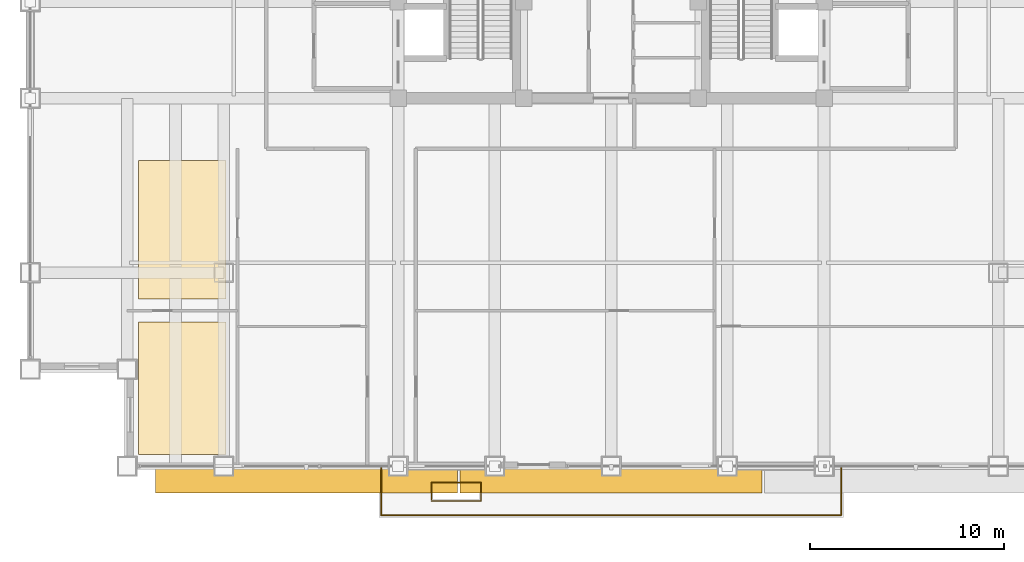
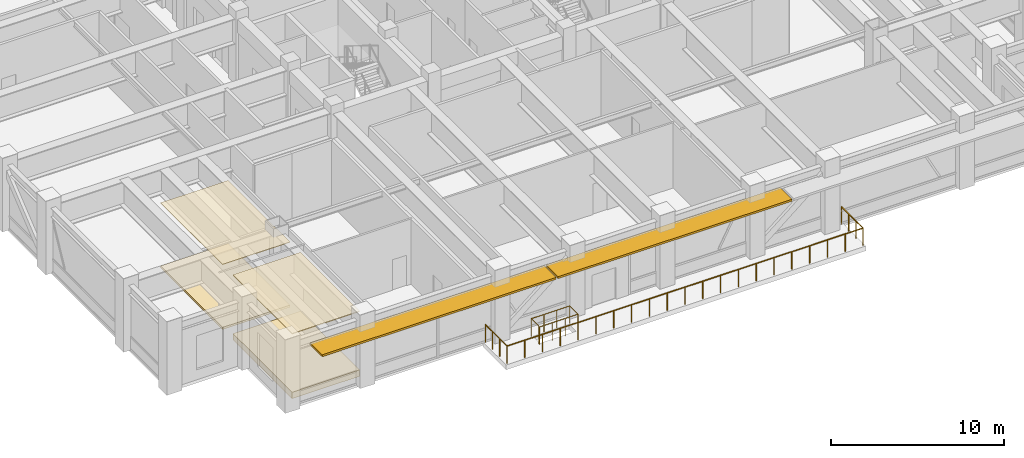
# One storey, part 28 of 33: 4 coverings, 2 railings, 2 shading devices.
"""IFC4 building model written with IfcOpenShell, lengths in metres."""

from ifc_helpers import new_model, si_unit, direction, frame, origin, origin_2d, place, context, subcontext, project, spatial, polyline, rectangle, circle, outline, extrude, source, transform, mapped, material, layer, layer_set, type_object, element, save


model = new_model("IFC4")

# Units and contexts
model_context = context("Model", 3, precision=1e-05, world=origin(), true_north=direction((0.0, 1.0)))
body_context = subcontext(model_context, "Body", "Model", "MODEL_VIEW")
ifc_project = project(units=[si_unit("LENGTHUNIT", "METRE"), si_unit("AREAUNIT", "SQUARE_METRE"), si_unit("VOLUMEUNIT", "CUBIC_METRE"), si_unit("PLANEANGLEUNIT", "RADIAN"), si_unit("MASSUNIT", "GRAM", prefix="KILO")], contexts=[model_context])

# Site, building, storey
site_placement = place(None, origin())
site = spatial("IfcSite", under=ifc_project, at=site_placement, CompositionType="ELEMENT")
building_placement = place(site_placement, origin())
building = spatial("IfcBuilding", under=site, at=building_placement, Name="Khorayat Bourse Tower", CompositionType="ELEMENT")
storey_placement = place(building_placement, frame((0.0, 0.0, 263.10009765625)))
storey = spatial("IfcBuildingStorey", under=building, at=storey_placement, Name="L62", CompositionType="ELEMENT", Elevation=263.10009765625)

# Coverings
ifc_material_1 = material(Name="Mineral fibre acoustic ceiling tile")
ifc_layer_1 = layer(ifc_material_1, 0.0400390625)
ifc_layer_set_1 = layer_set([ifc_layer_1], Name="Mineral fibre acoustic ceiling tile")
covering_type_1 = type_object("IfcCoveringType", Name="COV-CEIL-ACOUSTIC", PredefinedType="CEILING", material=ifc_layer_set_1)
covering_1_placement = place(storey_placement, frame((0.0, 0.0, 4.559814453125)))
element("IfcCovering", 1, at=covering_1_placement, inside=storey, type_object=covering_type_1, Name="L62 Suspended Ceiling 2", PredefinedType="CEILING", context=body_context, shape_type="SweptSolid", body=[
    extrude(outline(polyline([(-24.39990234375, -21.364013671875), (-19.89599609375, -21.364013671875), (-19.89599609375, -14.199951171875), (-24.39990234375, -14.199951171875), (-24.39990234375, -21.364013671875)])), origin(), (0.0, 0.0, 1.0), 0.0400390625),
])
ifc_material_2 = material(Name="Perforated aluminium acoustic ceiling", Category="aluminium")
ifc_layer_2 = layer(ifc_material_2, 0.06005859375)
ifc_layer_set_2 = layer_set([ifc_layer_2], Name="Perforated aluminium acoustic ceiling")
covering_type_2 = type_object("IfcCoveringType", Name="COV-CEIL-BAFFLE", PredefinedType="CEILING", material=ifc_layer_set_2)
covering_2_placement = place(storey_placement, frame((0.0, 0.0, 4.539794921875)))
element("IfcCovering", 2, at=covering_2_placement, inside=storey, type_object=covering_type_2, Name="L62 Suspended Ceiling 1", PredefinedType="CEILING", context=body_context, shape_type="SweptSolid", body=[
    extrude(outline(polyline([(-24.39990234375, -29.39990234375), (-19.89599609375, -29.39990234375), (-19.89599609375, -22.56396484375), (-24.39990234375, -22.56396484375), (-24.39990234375, -29.39990234375)])), origin(), (0.0, 0.0, 1.0), 0.06005859375),
])
ifc_material_3 = material(Name="Steel-encapsulated raised access floor", Category="steel")
ifc_layer_3 = layer(ifc_material_3, 0.14990234375)
ifc_layer_set_3 = layer_set([ifc_layer_3], Name="Steel-encapsulated raised access floor")
covering_type_3 = type_object("IfcCoveringType", Name="COV-RAF-OFFICE", PredefinedType="FLOORING", material=ifc_layer_set_3)
covering_3_placement = place(storey_placement, origin())
element("IfcCovering", 3, at=covering_3_placement, inside=storey, type_object=covering_type_3, Name="L62 Raised Access Floor 2", PredefinedType="FLOORING", context=body_context, shape_type="SweptSolid", body=[
    extrude(outline(polyline([(-24.39990234375, -21.364013671875), (-19.89599609375, -21.364013671875), (-19.89599609375, -14.199951171875), (-24.39990234375, -14.199951171875), (-24.39990234375, -21.364013671875)])), origin(), (0.0, 0.0, 1.0), 0.14990234375),
])
ifc_material_4 = material(Name="Calcium-sulphate raised access floor")
ifc_layer_4 = layer(ifc_material_4, 0.449951171875)
ifc_layer_set_4 = layer_set([ifc_layer_4], Name="Calcium-sulphate raised access floor")
covering_type_4 = type_object("IfcCoveringType", Name="COV-RAF-TRADING", PredefinedType="FLOORING", material=ifc_layer_set_4)
covering_4_placement = place(storey_placement, origin())
element("IfcCovering", 4, at=covering_4_placement, inside=storey, type_object=covering_type_4, Name="L62 Raised Access Floor 1", PredefinedType="FLOORING", context=body_context, shape_type="SweptSolid", body=[
    extrude(outline(polyline([(-24.39990234375, -29.39990234375), (-19.89599609375, -29.39990234375), (-19.89599609375, -22.56396484375), (-24.39990234375, -22.56396484375), (-24.39990234375, -29.39990234375)])), origin(), (0.0, 0.0, 1.0), 0.449951171875),
])

# Railings
ifc_material_5 = material(Name="Laminated glass and bronze balustrade", Category="glass")
railing_type = type_object("IfcRailingType", Name="RLG-TERR-1250", PredefinedType="GUARDRAIL", material=ifc_material_5)
shared_shape_1 = source(origin(), body_context, "Body", "SweptSolid", [
    extrude(circle(Radius=0.02392578125, at=origin_2d()), frame((0.0, 0.0, 1.22607421875), z_axis=(1.0, 0.0, 0.0), x_axis=(0.0, 1.0, 0.0)), (0.0, 0.0, 1.0), 2.56005859375),
    extrude(circle(Radius=0.02392578125, at=origin_2d()), frame((2.56005859375, 0.0, 1.22607421875), z_axis=(0.0, 1.0, 0.0), x_axis=(-1.0, 0.0, 0.0)), (0.0, 0.0, 1.0), 0.9599609375),
    extrude(circle(Radius=0.02392578125, at=origin_2d()), frame((2.56005859375, 0.9599609375, 1.22607421875), z_axis=(-1.0, 0.0, 0.0), x_axis=(0.0, -1.0, 0.0)), (0.0, 0.0, 1.0), 2.56005859375),
    extrude(circle(Radius=0.02392578125, at=origin_2d()), frame((0.0, 0.9599609375, 1.22607421875), z_axis=(0.0, -1.0, 0.0), x_axis=(1.0, 0.0, 0.0)), (0.0, 0.0, 1.0), 0.880126953125),
    extrude(circle(Radius=0.02099609375, at=origin_2d()), origin(), (0.0, 0.0, 1.0), 1.201904296875),
    extrude(circle(Radius=0.02099609375, at=origin_2d()), frame((0.853271484375, 0.0, 0.0)), (0.0, 0.0, 1.0), 1.201904296875),
    extrude(circle(Radius=0.02099609375, at=origin_2d()), frame((1.706787109375, 0.0, 0.0)), (0.0, 0.0, 1.0), 1.201904296875),
    extrude(circle(Radius=0.02099609375, at=origin_2d()), frame((2.56005859375, 0.0, 0.0)), (0.0, 0.0, 1.0), 1.201904296875),
    extrude(circle(Radius=0.02099609375, at=origin_2d()), frame((2.56005859375, 0.9599609375, 0.0)), (0.0, 0.0, 1.0), 1.201904296875),
    extrude(circle(Radius=0.02099609375, at=origin_2d()), frame((1.706787109375, 0.9599609375, 0.0)), (0.0, 0.0, 1.0), 1.201904296875),
    extrude(circle(Radius=0.02099609375, at=origin_2d()), frame((0.853271484375, 0.9599609375, 0.0)), (0.0, 0.0, 1.0), 1.201904296875),
    extrude(circle(Radius=0.02099609375, at=origin_2d()), frame((0.0, 0.9599609375, 0.0)), (0.0, 0.0, 1.0), 1.201904296875),
    extrude(circle(Radius=0.02099609375, at=origin_2d()), frame((0.0, 0.079833984375, 0.0)), (0.0, 0.0, 1.0), 1.201904296875),
])
railing_1_placement = place(storey_placement, frame((-9.280029296875, -31.804931640625, 0.0)))
element("IfcRailing", 5, at=railing_1_placement, inside=storey, type_object=railing_type, Name="L62 Terrace Tree-Pit Guardrail 02", PredefinedType="GUARDRAIL", context=body_context, shape_type="MappedRepresentation", body=[
    mapped(shared_shape_1, transform((0.0, 0.0, 0.0), scale=1.0)),
])
shared_shape_2 = source(origin(), body_context, "Body", "SweptSolid", [
    extrude(circle(Radius=0.02392578125, at=origin_2d()), frame((0.0, 0.0, 1.22607421875), z_axis=(0.0, -1.0, 0.0), x_axis=(1.0, 0.0, 0.0)), (0.0, 0.0, 1.0), 2.47998046875),
    extrude(circle(Radius=0.02392578125, at=origin_2d()), frame((0.0, -2.47998046875, 1.22607421875), z_axis=(1.0, 0.0, 0.0), x_axis=(0.0, 1.0, 0.0)), (0.0, 0.0, 1.0), 23.759765625),
    extrude(circle(Radius=0.02392578125, at=origin_2d()), frame((23.759765625, -2.47998046875, 1.22607421875), z_axis=(0.0, 1.0, 0.0), x_axis=(-1.0, 0.0, 0.0)), (0.0, 0.0, 1.0), 2.47998046875),
    extrude(circle(Radius=0.02099609375, at=origin_2d()), origin(), (0.0, 0.0, 1.0), 1.201904296875),
    extrude(circle(Radius=0.02099609375, at=origin_2d()), frame((0.0, -0.82666015625, 0.0)), (0.0, 0.0, 1.0), 1.201904296875),
    extrude(circle(Radius=0.02099609375, at=origin_2d()), frame((0.0, -1.6533203125, 0.0)), (0.0, 0.0, 1.0), 1.201904296875),
    extrude(circle(Radius=0.02099609375, at=origin_2d()), frame((0.0, -2.47998046875, 0.0)), (0.0, 0.0, 1.0), 1.201904296875),
    extrude(circle(Radius=0.02099609375, at=origin_2d()), frame((1.18798828125, -2.47998046875, 0.0)), (0.0, 0.0, 1.0), 1.201904296875),
    extrude(circle(Radius=0.02099609375, at=origin_2d()), frame((2.3759765625, -2.47998046875, 0.0)), (0.0, 0.0, 1.0), 1.201904296875),
    extrude(circle(Radius=0.02099609375, at=origin_2d()), frame((3.56396484375, -2.47998046875, 0.0)), (0.0, 0.0, 1.0), 1.201904296875),
    extrude(circle(Radius=0.02099609375, at=origin_2d()), frame((4.751953125, -2.47998046875, 0.0)), (0.0, 0.0, 1.0), 1.201904296875),
    extrude(circle(Radius=0.02099609375, at=origin_2d()), frame((5.93994140625, -2.47998046875, 0.0)), (0.0, 0.0, 1.0), 1.201904296875),
    extrude(circle(Radius=0.02099609375, at=origin_2d()), frame((7.1279296875, -2.47998046875, 0.0)), (0.0, 0.0, 1.0), 1.201904296875),
    extrude(circle(Radius=0.02099609375, at=origin_2d()), frame((8.31591796875, -2.47998046875, 0.0)), (0.0, 0.0, 1.0), 1.201904296875),
    extrude(circle(Radius=0.02099609375, at=origin_2d()), frame((9.50390625, -2.47998046875, 0.0)), (0.0, 0.0, 1.0), 1.201904296875),
    extrude(circle(Radius=0.02099609375, at=origin_2d()), frame((10.69189453125, -2.47998046875, 0.0)), (0.0, 0.0, 1.0), 1.201904296875),
    extrude(circle(Radius=0.02099609375, at=origin_2d()), frame((11.8798828125, -2.47998046875, 0.0)), (0.0, 0.0, 1.0), 1.201904296875),
    extrude(circle(Radius=0.02099609375, at=origin_2d()), frame((13.06787109375, -2.47998046875, 0.0)), (0.0, 0.0, 1.0), 1.201904296875),
    extrude(circle(Radius=0.02099609375, at=origin_2d()), frame((14.255859375, -2.47998046875, 0.0)), (0.0, 0.0, 1.0), 1.201904296875),
    extrude(circle(Radius=0.02099609375, at=origin_2d()), frame((15.44384765625, -2.47998046875, 0.0)), (0.0, 0.0, 1.0), 1.201904296875),
    extrude(circle(Radius=0.02099609375, at=origin_2d()), frame((16.6318359375, -2.47998046875, 0.0)), (0.0, 0.0, 1.0), 1.201904296875),
    extrude(circle(Radius=0.02099609375, at=origin_2d()), frame((17.81982421875, -2.47998046875, 0.0)), (0.0, 0.0, 1.0), 1.201904296875),
    extrude(circle(Radius=0.02099609375, at=origin_2d()), frame((19.0078125, -2.47998046875, 0.0)), (0.0, 0.0, 1.0), 1.201904296875),
    extrude(circle(Radius=0.02099609375, at=origin_2d()), frame((20.19580078125, -2.47998046875, 0.0)), (0.0, 0.0, 1.0), 1.201904296875),
    extrude(circle(Radius=0.02099609375, at=origin_2d()), frame((21.3837890625, -2.47998046875, 0.0)), (0.0, 0.0, 1.0), 1.201904296875),
    extrude(circle(Radius=0.02099609375, at=origin_2d()), frame((22.57177734375, -2.47998046875, 0.0)), (0.0, 0.0, 1.0), 1.201904296875),
    extrude(circle(Radius=0.02099609375, at=origin_2d()), frame((23.759765625, -2.47998046875, 0.0)), (0.0, 0.0, 1.0), 1.201904296875),
    extrude(circle(Radius=0.02099609375, at=origin_2d()), frame((23.759765625, -1.6533203125, 0.0)), (0.0, 0.0, 1.0), 1.201904296875),
    extrude(circle(Radius=0.02099609375, at=origin_2d()), frame((23.759765625, -0.82666015625, 0.0)), (0.0, 0.0, 1.0), 1.201904296875),
    extrude(circle(Radius=0.02099609375, at=origin_2d()), frame((23.759765625, 0.0, 0.0)), (0.0, 0.0, 1.0), 1.201904296875),
])
railing_2_placement = place(storey_placement, frame((-11.8798828125, -30.050048828125, 0.0)))
element("IfcRailing", 6, at=railing_2_placement, inside=storey, type_object=railing_type, Name="L62 South Sky Garden Guardrail", PredefinedType="GUARDRAIL", context=body_context, shape_type="MappedRepresentation", body=[
    mapped(shared_shape_2, transform((0.0, 0.0, 0.0), scale=1.0)),
])

# Shading devices
ifc_material_6 = material(Name="Precast concrete C45/55", Category="concrete")
ifc_layer_5 = layer(ifc_material_6, 0.139892578125)
ifc_layer_set_5 = layer_set([ifc_layer_5], Name="Precast concrete C45/55")
shading_device_type = type_object("IfcShadingDeviceType", Name="SHD-WAVE-TRAY-B", PredefinedType="USERDEFINED", material=ifc_layer_set_5)
shared_shape_3 = source(origin(), body_context, "Body", "SweptSolid", [
    extrude(rectangle(XDim=15.59326171875, YDim=1.3974609375, at=origin_2d()), origin(), (0.0, 0.0, 1.0), 0.139892578125),
])
shading_device_1_placement = place(storey_placement, frame((-15.7333984375, -30.6787109375, 3.85009765625), z_axis=(0.0, 0.0, 1.0), x_axis=(1.0, 0.0, 0.0)))
element("IfcShadingDevice", 7, at=shading_device_1_placement, inside=storey, type_object=shading_device_type, Name="L62 Sinusoidal Wave Sunshade Tray S-1", ObjectType="SUNSHADE", PredefinedType="USERDEFINED", context=body_context, shape_type="MappedRepresentation", body=[
    mapped(shared_shape_3, transform((0.0, 0.0, 0.0), scale=1.0)),
])
shared_shape_4 = source(origin(), body_context, "Body", "SweptSolid", [
    extrude(rectangle(XDim=15.59326171875, YDim=1.39990234375, at=origin_2d()), origin(), (0.0, 0.0, 1.0), 0.139892578125),
])
shading_device_2_placement = place(storey_placement, frame((0.0, -30.679931640625, 3.85009765625), z_axis=(0.0, 0.0, 1.0), x_axis=(1.0, 0.0, 0.0)))
element("IfcShadingDevice", 8, at=shading_device_2_placement, inside=storey, type_object=shading_device_type, Name="L62 Sinusoidal Wave Sunshade Tray S-2", ObjectType="SUNSHADE", PredefinedType="USERDEFINED", context=body_context, shape_type="MappedRepresentation", body=[
    mapped(shared_shape_4, transform((0.0, 0.0, 0.0), scale=1.0)),
])

save(model, "model.ifc")
